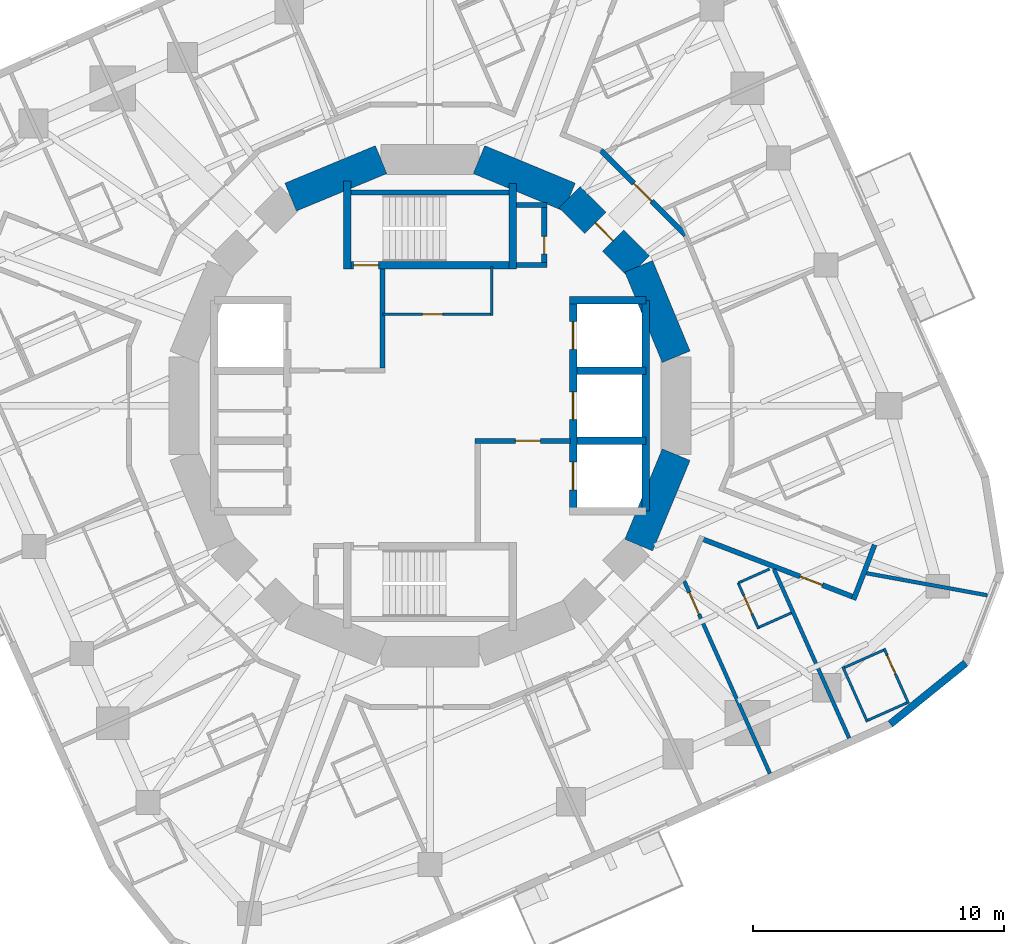
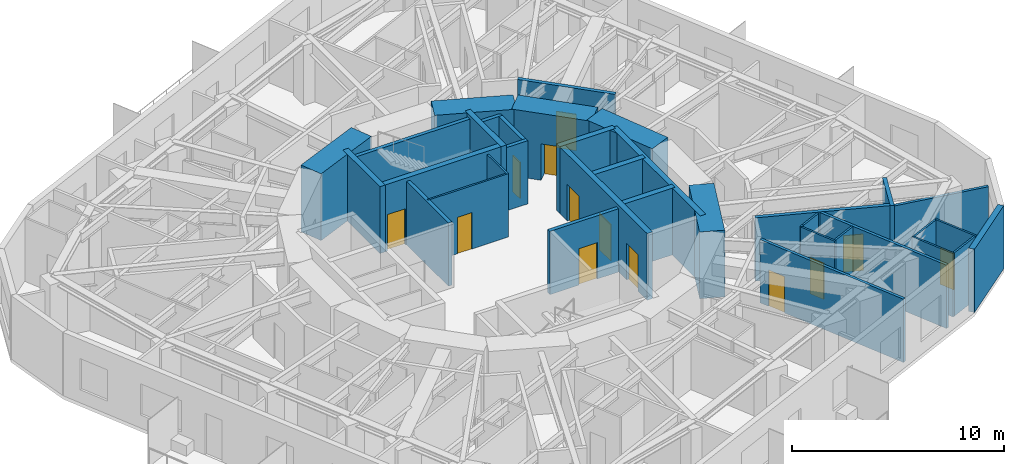
# One storey, part 7 of 12: 36 walls, 13 doors, 13 openings.
"""IFC4 building model written with IfcOpenShell, lengths in metres."""

from ifc_helpers import new_model, si_unit, direction, frame, frame_2d, origin, place, context, subcontext, project, spatial, rectangle, extrude, material, layer, layer_set, type_object, element, fill, save


model = new_model("IFC4")

# Units and contexts
model_context = context("Model", 3, precision=1e-05, world=origin(), true_north=direction((0.0, 1.0)))
body_context = subcontext(model_context, "Body", "Model", "MODEL_VIEW")
ifc_project = project(units=[si_unit("LENGTHUNIT", "METRE"), si_unit("AREAUNIT", "SQUARE_METRE"), si_unit("VOLUMEUNIT", "CUBIC_METRE"), si_unit("PLANEANGLEUNIT", "RADIAN"), si_unit("MASSUNIT", "GRAM", prefix="KILO")], contexts=[model_context])

# Site, building, storey
site_placement = place(None, origin())
site = spatial("IfcSite", under=ifc_project, at=site_placement, CompositionType="ELEMENT")
building_placement = place(site_placement, origin())
building = spatial("IfcBuilding", under=site, at=building_placement, Name="Nakasero Lantern House", CompositionType="ELEMENT")
storey_placement = place(building_placement, frame((0.0, 0.0, 213.25)))
storey = spatial("IfcBuildingStorey", under=building, at=storey_placement, Name="L52", CompositionType="ELEMENT", Elevation=213.25)

# Wall, openings, doors
ifc_material_1 = material(Name="Concrete C50/60", Category="concrete")
ifc_layer_1 = layer(ifc_material_1, 0.300048828125)
ifc_layer_set_1 = layer_set([ifc_layer_1], Name="Core inner wall 300")
wall_type_1 = type_object("IfcWallType", Name="Core inner wall 300", PredefinedType="SHEAR", material=ifc_layer_set_1)
wall_1_placement = place(storey_placement, frame((5.699951171875, -4.199951171875, 0.0), z_axis=(0.0, 0.0, 1.0), x_axis=(0.0, 1.0, 0.0)))
wall_1 = element("IfcWall", 1, at=wall_1_placement, inside=storey, type_object=wall_type_1, Name="Core inner wall L52 LE", PredefinedType="SHEAR", context=body_context, shape_type="SweptSolid", body=[
    extrude(rectangle(XDim=8.39990234375, YDim=0.300048828125, at=frame_2d((4.199951171875, 0.0))), origin(), (0.0, 0.0, 1.0), 3.85009765625),
])
opening_1_placement = place(wall_1_placement, frame((0.85009765625, 0.0, 0.0)))
opening_1 = element("IfcOpeningElement", 2, at=opening_1_placement, cuts=wall_1, Name="Opening LD", PredefinedType="OPENING", context=body_context, shape_type="SweptSolid", body=[
    extrude(rectangle(XDim=1.10009765625, YDim=2.10009765625, at=frame_2d((0.550048828125, 1.050048828125))), frame((0.0, 0.169921875, 0.0), z_axis=(0.0, -1.0, 0.0), x_axis=(1.0, 0.0, 0.0)), (0.0, 0.0, 1.0), 0.340087890625),
])
opening_2_placement = place(wall_1_placement, frame((3.64990234375, 0.0, 0.0)))
opening_2 = element("IfcOpeningElement", 3, at=opening_2_placement, cuts=wall_1, Name="Opening LD", PredefinedType="OPENING", context=body_context, shape_type="SweptSolid", body=[
    extrude(rectangle(XDim=1.10009765625, YDim=2.10009765625, at=frame_2d((0.550048828125, 1.050048828125))), frame((0.0, 0.169921875, 0.0), z_axis=(0.0, -1.0, 0.0), x_axis=(1.0, 0.0, 0.0)), (0.0, 0.0, 1.0), 0.340087890625),
])
opening_3_placement = place(wall_1_placement, frame((6.449951171875, 0.0, 0.0)))
opening_3 = element("IfcOpeningElement", 4, at=opening_3_placement, cuts=wall_1, Name="Opening LD", PredefinedType="OPENING", context=body_context, shape_type="SweptSolid", body=[
    extrude(rectangle(XDim=1.10009765625, YDim=2.10009765625, at=frame_2d((0.550048828125, 1.050048828125))), frame((0.0, 0.169921875, 0.0), z_axis=(0.0, -1.0, 0.0), x_axis=(1.0, 0.0, 0.0)), (0.0, 0.0, 1.0), 0.340087890625),
])
ifc_material_2 = material(Name="Steel S355", Category="steel")
door_type_1 = type_object("IfcDoorType", Name="Lift landing door E120 1100", OperationType="SLIDING_TO_LEFT", PredefinedType="DOOR", material=ifc_material_2)
door_1_placement = place(opening_1_placement, origin())
door_1 = element("IfcDoor", 5, at=door_1_placement, inside=storey, type_object=door_type_1, Name="Lift landing door LE1", OperationType="SLIDING_TO_LEFT", OverallHeight=2.10009765625, OverallWidth=1.10009765625, PredefinedType="DOOR", context=body_context, shape_type="SweptSolid", body=[
    extrude(rectangle(XDim=1.10009765625, YDim=2.10009765625, at=frame_2d((0.550048828125, 1.050048828125))), frame((0.0, 0.02490234375, 0.0), z_axis=(0.0, -1.0, 0.0), x_axis=(1.0, 0.0, 0.0)), (0.0, 0.0, 1.0), 0.050048828125),
])
fill(opening_1, door_1)
door_2_placement = place(opening_2_placement, origin())
door_2 = element("IfcDoor", 6, at=door_2_placement, inside=storey, type_object=door_type_1, Name="Lift landing door LE2", OperationType="SLIDING_TO_LEFT", OverallHeight=2.10009765625, OverallWidth=1.10009765625, PredefinedType="DOOR", context=body_context, shape_type="SweptSolid", body=[
    extrude(rectangle(XDim=1.10009765625, YDim=2.10009765625, at=frame_2d((0.550048828125, 1.050048828125))), frame((0.0, 0.02490234375, 0.0), z_axis=(0.0, -1.0, 0.0), x_axis=(1.0, 0.0, 0.0)), (0.0, 0.0, 1.0), 0.050048828125),
])
fill(opening_2, door_2)
door_3_placement = place(opening_3_placement, origin())
door_3 = element("IfcDoor", 7, at=door_3_placement, inside=storey, type_object=door_type_1, Name="Lift landing door LE3", OperationType="SLIDING_TO_LEFT", OverallHeight=2.10009765625, OverallWidth=1.10009765625, PredefinedType="DOOR", context=body_context, shape_type="SweptSolid", body=[
    extrude(rectangle(XDim=1.10009765625, YDim=2.10009765625, at=frame_2d((0.550048828125, 1.050048828125))), frame((0.0, 0.02490234375, 0.0), z_axis=(0.0, -1.0, 0.0), x_axis=(1.0, 0.0, 0.0)), (0.0, 0.0, 1.0), 0.050048828125),
])
fill(opening_3, door_3)

# Walls
wall_2_placement = place(storey_placement, frame((5.550048828125, 4.199951171875, 0.0), z_axis=(0.0, 0.0, 1.0), x_axis=(1.0, 0.0, 0.0)))
element("IfcWall", 8, at=wall_2_placement, inside=storey, type_object=wall_type_1, Name="Core inner wall L52 LEN", PredefinedType="SHEAR", context=body_context, shape_type="SweptSolid", body=[
    extrude(rectangle(XDim=3.050048828125, YDim=0.300048828125, at=frame_2d((1.52490234375, 0.0))), origin(), (0.0, 0.0, 1.0), 3.85009765625),
])
wall_3_placement = place(storey_placement, frame((8.60009765625, -4.199951171875, 0.0), z_axis=(0.0, 0.0, 1.0), x_axis=(0.0, 1.0, 0.0)))
element("IfcWall", 9, at=wall_3_placement, inside=storey, type_object=wall_type_1, Name="Core inner wall L52 LEB", PredefinedType="SHEAR", context=body_context, shape_type="SweptSolid", body=[
    extrude(rectangle(XDim=8.39990234375, YDim=0.300048828125, at=frame_2d((4.199951171875, 0.0))), origin(), (0.0, 0.0, 1.0), 3.85009765625),
])
for number, where, z_axis, x_axis, name in (
    (10, (5.85009765625, -1.39990234375, 0.0), (0.0, 0.0, 1.0), (1.0, 0.0, 0.0), "Core inner wall L52 LE1"),
    (11, (5.85009765625, 1.39990234375, 0.0), (0.0, 0.0, 1.0), (1.0, 0.0, 0.0), "Core inner wall L52 LE2"),
):
    element("IfcWall", number, at=place(storey_placement, frame(where, z_axis=z_axis, x_axis=x_axis)), inside=storey, type_object=wall_type_1, Name=name, PredefinedType="SHEAR", context=body_context, shape_type="SweptSolid", body=[
        extrude(rectangle(XDim=2.75, YDim=0.300048828125, at=frame_2d((1.375, 0.0))), origin(), (0.0, 0.0, 1.0), 3.85009765625),
    ])

# Wall, opening, door
wall_4_placement = place(storey_placement, frame((-3.449951171875, 5.60009765625, 0.0), z_axis=(0.0, 0.0, 1.0), x_axis=(1.0, 0.0, 0.0)))
wall_4 = element("IfcWall", 12, at=wall_4_placement, inside=storey, type_object=wall_type_1, Name="Core inner wall L52 SN", PredefinedType="SHEAR", context=body_context, shape_type="SweptSolid", body=[
    extrude(rectangle(XDim=6.89990234375, YDim=0.300048828125, at=frame_2d((3.449951171875, 0.0))), origin(), (0.0, 0.0, 1.0), 3.85009765625),
])
opening_4_placement = place(wall_4_placement, frame((0.39990234375, 0.0, 0.0)))
opening_4 = element("IfcOpeningElement", 13, at=opening_4_placement, cuts=wall_4, Name="Opening D05", PredefinedType="OPENING", context=body_context, shape_type="SweptSolid", body=[
    extrude(rectangle(XDim=1.0, YDim=2.10009765625, at=frame_2d((0.5, 1.050048828125))), frame((0.0, 0.169921875, 0.0), z_axis=(0.0, -1.0, 0.0), x_axis=(1.0, 0.0, 0.0)), (0.0, 0.0, 1.0), 0.340087890625),
])
ifc_material_3 = material(Name="Timber C24", Category="wood")
door_type_2 = type_object("IfcDoorType", Name="Core door FD60S 1000", OperationType="SINGLE_SWING_LEFT", PredefinedType="DOOR", material=ifc_material_3)
door_4_placement = place(opening_4_placement, origin())
door_4 = element("IfcDoor", 14, at=door_4_placement, inside=storey, type_object=door_type_2, Name="Door L52 D-ST1", OperationType="SINGLE_SWING_LEFT", OverallHeight=2.10009765625, OverallWidth=1.0, PredefinedType="DOOR", context=body_context, shape_type="SweptSolid", body=[
    extrude(rectangle(XDim=1.0, YDim=2.10009765625, at=frame_2d((0.5, 1.050048828125))), frame((0.0, 0.02490234375, 0.0), z_axis=(0.0, -1.0, 0.0), x_axis=(1.0, 0.0, 0.0)), (0.0, 0.0, 1.0), 0.050048828125),
])
fill(opening_4, door_4)

# Walls
wall_5_placement = place(storey_placement, frame((-3.300048828125, 5.449951171875, 0.0), z_axis=(0.0, 0.0, 1.0), x_axis=(0.0, 1.0, 0.0)))
element("IfcWall", 15, at=wall_5_placement, inside=storey, type_object=wall_type_1, Name="Core inner wall L52 SNW", PredefinedType="SHEAR", context=body_context, shape_type="SweptSolid", body=[
    extrude(rectangle(XDim=3.5, YDim=0.300048828125, at=frame_2d((1.75, 0.0))), origin(), (0.0, 0.0, 1.0), 3.85009765625),
])
wall_6_placement = place(storey_placement, frame((3.300048828125, 5.449951171875, 0.0), z_axis=(0.0, 0.0, 1.0), x_axis=(0.0, 1.0, 0.0)))
element("IfcWall", 16, at=wall_6_placement, inside=storey, type_object=wall_type_1, Name="Core inner wall L52 SNE", PredefinedType="SHEAR", context=body_context, shape_type="SweptSolid", body=[
    extrude(rectangle(XDim=3.400146484375, YDim=0.300048828125, at=frame_2d((1.7001953125, 0.0))), origin(), (0.0, 0.0, 1.0), 3.85009765625),
])

# Wall, opening, door
ifc_material_4 = material(Name="Blockwork", Category="masonry")
ifc_layer_2 = layer(ifc_material_4, 0.10009765625)
ifc_layer_set_2 = layer_set([ifc_layer_2], Name="Core room wall 100")
wall_type_2 = type_object("IfcWallType", Name="Core room wall 100", PredefinedType="PARTITIONING", material=ifc_layer_set_2)
wall_7_placement = place(storey_placement, frame((-1.89990234375, 3.64990234375, 0.0), z_axis=(0.0, 0.0, 1.0), x_axis=(1.0, 0.0, 0.0)))
wall_7 = element("IfcWall", 17, at=wall_7_placement, inside=storey, type_object=wall_type_2, Name="Core room wall L52 CR-NES", PredefinedType="PARTITIONING", context=body_context, shape_type="SweptSolid", body=[
    extrude(rectangle(XDim=4.39990234375, YDim=0.10009765625, at=frame_2d((2.199951171875, 0.0))), origin(), (0.0, 0.0, 1.0), 3.64990234375),
])
opening_5_placement = place(wall_7_placement, frame((1.60009765625, 0.0, 0.0)))
opening_5 = element("IfcOpeningElement", 18, at=opening_5_placement, cuts=wall_7, Name="Opening D15", PredefinedType="OPENING", context=body_context, shape_type="SweptSolid", body=[
    extrude(rectangle(XDim=0.800048828125, YDim=2.10009765625, at=frame_2d((0.39990234375, 1.050048828125))), frame((0.0, 0.070068359375, 0.0), z_axis=(0.0, -1.0, 0.0), x_axis=(1.0, 0.0, 0.0)), (0.0, 0.0, 1.0), 0.14013671875),
])
ifc_material_5 = material(Name="Timber C24", Category="wood")
door_type_3 = type_object("IfcDoorType", Name="Cleaner's store door FD30S 800", OperationType="SINGLE_SWING_LEFT", PredefinedType="DOOR", material=ifc_material_5)
door_5_placement = place(opening_5_placement, origin())
door_5 = element("IfcDoor", 19, at=door_5_placement, inside=storey, type_object=door_type_3, Name="Door L52 D-CR-NE", OperationType="SINGLE_SWING_LEFT", OverallHeight=2.10009765625, OverallWidth=0.800048828125, PredefinedType="DOOR", context=body_context, shape_type="SweptSolid", body=[
    extrude(rectangle(XDim=0.800048828125, YDim=2.10009765625, at=frame_2d((0.39990234375, 1.050048828125))), frame((0.0, 0.02490234375, 0.0), z_axis=(0.0, -1.0, 0.0), x_axis=(1.0, 0.0, 0.0)), (0.0, 0.0, 1.0), 0.050048828125),
])
fill(opening_5, door_5)

# Walls
wall_8_placement = place(storey_placement, frame((2.449951171875, 3.60009765625, 0.0), z_axis=(0.0, 0.0, 1.0), x_axis=(0.0, 1.0, 0.0)))
element("IfcWall", 20, at=wall_8_placement, inside=storey, type_object=wall_type_2, Name="Core room wall L52 CR-NEE", PredefinedType="PARTITIONING", context=body_context, shape_type="SweptSolid", body=[
    extrude(rectangle(XDim=1.949951171875, YDim=0.10009765625, at=frame_2d((0.97509765625, 0.0))), origin(), (0.0, 0.0, 1.0), 3.64990234375),
])
ifc_material_6 = material(Name="Concrete C50/60", Category="concrete")
ifc_layer_3 = layer(ifc_material_6, 1.199951171875)
ifc_layer_set_3 = layer_set([ifc_layer_3], Name="Core wall 1200")
wall_type_3 = type_object("IfcWallType", Name="Core wall 1200", PredefinedType="SHEAR", material=ifc_layer_set_3)
wall_9_placement = place(storey_placement, frame((9.807861328125, 1.950927734375, 0.0), z_axis=(0.0, 0.0, 1.0), x_axis=(-0.382690736062, 0.923876507187, 0.0)))
element("IfcWall", 21, at=wall_9_placement, inside=storey, type_object=wall_type_3, Name="Core wall L52 facet 1", PredefinedType="SHEAR", context=body_context, shape_type="SweptSolid", body=[
    extrude(rectangle(XDim=3.90185546875, YDim=1.199951171875, at=frame_2d((1.950927734375, 0.0))), origin(), (0.0, 0.0, 1.0), 3.85009765625),
])

# Wall, opening, door
wall_10_placement = place(storey_placement, frame((8.314697265625, 5.5556640625, 0.0), z_axis=(0.0, 0.0, 1.0), x_axis=(-0.707106781187, 0.707106781187, 0.0)))
wall_10 = element("IfcWall", 22, at=wall_10_placement, inside=storey, type_object=wall_type_3, Name="Core wall L52 facet 2", PredefinedType="SHEAR", context=body_context, shape_type="SweptSolid", body=[
    extrude(rectangle(XDim=3.90185546875, YDim=1.199951171875, at=frame_2d((1.950927734375, 0.0))), origin(), (0.0, 0.0, 1.0), 3.85009765625),
])
opening_6_placement = place(wall_10_placement, frame((1.450927734375, 0.0, 0.0)))
opening_6 = element("IfcOpeningElement", 23, at=opening_6_placement, cuts=wall_10, Name="Opening D05", PredefinedType="OPENING", context=body_context, shape_type="SweptSolid", body=[
    extrude(rectangle(XDim=1.0, YDim=2.10009765625, at=frame_2d((0.5, 1.050048828125))), frame((0.0, 0.619873046875, 0.0), z_axis=(0.0, -1.0, 0.0), x_axis=(1.0, 0.0, 0.0)), (0.0, 0.0, 1.0), 1.239990234375),
])
door_6_placement = place(opening_6_placement, origin())
door_6 = element("IfcDoor", 24, at=door_6_placement, inside=storey, type_object=door_type_2, Name="Door L52 D-CORE02", OperationType="SINGLE_SWING_LEFT", OverallHeight=2.10009765625, OverallWidth=1.0, PredefinedType="DOOR", context=body_context, shape_type="SweptSolid", body=[
    extrude(rectangle(XDim=1.0, YDim=2.10009765625, at=frame_2d((0.5, 1.050048828125))), frame((0.0, 0.02490234375, 0.0), z_axis=(0.0, -1.0, 0.0), x_axis=(1.0, 0.0, 0.0)), (0.0, 0.0, 1.0), 0.050048828125),
])
fill(opening_6, door_6)

# Walls
for number, where, z_axis, x_axis, name in (
    (25, (5.5556640625, 8.314697265625, 0.0), (0.0, 0.0, 1.0), (-0.923876507187, 0.382690736062, 0.0), "Core wall L52 facet 3"),
    (26, (-1.950927734375, 9.807861328125, 0.0), (0.0, 0.0, 1.0), (-0.923876507187, -0.382690736062, 0.0), "Core wall L52 facet 5"),
    (27, (8.314697265625, -5.5556640625, 0.0), (0.0, 0.0, 1.0), (0.382690736062, 0.923876507187, 0.0), "Core wall L52 facet 15"),
):
    element("IfcWall", number, at=place(storey_placement, frame(where, z_axis=z_axis, x_axis=x_axis)), inside=storey, type_object=wall_type_3, Name=name, PredefinedType="SHEAR", context=body_context, shape_type="SweptSolid", body=[
        extrude(rectangle(XDim=3.90185546875, YDim=1.199951171875, at=frame_2d((1.950927734375, 0.0))), origin(), (0.0, 0.0, 1.0), 3.85009765625),
    ])

# Wall, opening, door
ifc_material_7 = material(Name="Blockwork", Category="masonry")
ifc_layer_4 = layer(ifc_material_7, 0.199951171875)
ifc_layer_set_4 = layer_set([ifc_layer_4], Name="Corridor wall 200")
wall_type_4 = type_object("IfcWallType", Name="Corridor wall 200", PredefinedType="PARTITIONING", material=ifc_layer_set_4)
wall_11_placement = place(storey_placement, frame((6.802001953125, 10.1796875, 0.0), z_axis=(0.0, 0.0, 1.0), x_axis=(0.707106781187, -0.707106781187, 0.0)))
wall_11 = element("IfcWall", 28, at=wall_11_placement, inside=storey, type_object=wall_type_4, Name="Corridor wall L52 RC14a", PredefinedType="PARTITIONING", context=body_context, shape_type="SweptSolid", body=[
    extrude(rectangle(XDim=4.77685546875, YDim=0.199951171875, at=frame_2d((2.388427734375, 0.0))), origin(), (0.0, 0.0, 1.0), 3.64990234375),
])
opening_7_placement = place(wall_11_placement, frame((1.8701171875, 0.0, 0.0)))
opening_7 = element("IfcOpeningElement", 29, at=opening_7_placement, cuts=wall_11, Name="Opening D14", PredefinedType="OPENING", context=body_context, shape_type="SweptSolid", body=[
    extrude(rectangle(XDim=1.0, YDim=2.10009765625, at=frame_2d((0.5, 1.050048828125))), frame((0.0, 0.119873046875, 0.0), z_axis=(0.0, -1.0, 0.0), x_axis=(1.0, 0.0, 0.0)), (0.0, 0.0, 1.0), 0.239990234375),
])
ifc_material_8 = material(Name="Timber C24", Category="wood")
door_type_4 = type_object("IfcDoorType", Name="Cluster entrance door FD30S 1000", OperationType="SINGLE_SWING_LEFT", PredefinedType="DOOR", material=ifc_material_8)
door_7_placement = place(opening_7_placement, origin())
door_7 = element("IfcDoor", 30, at=door_7_placement, inside=storey, type_object=door_type_4, Name="Door L52 D0-04", OperationType="SINGLE_SWING_LEFT", OverallHeight=2.10009765625, OverallWidth=1.0, PredefinedType="DOOR", context=body_context, shape_type="SweptSolid", body=[
    extrude(rectangle(XDim=1.0, YDim=2.10009765625, at=frame_2d((0.5, 1.050048828125))), frame((0.0, 0.02490234375, 0.0), z_axis=(0.0, -1.0, 0.0), x_axis=(1.0, 0.0, 0.0)), (0.0, 0.0, 1.0), 0.050048828125),
])
fill(opening_7, door_7)

wall_12_placement = place(storey_placement, frame((10.804443359375, -5.293701171875, 0.0), z_axis=(0.0, 0.0, 1.0), x_axis=(0.933585954752, -0.358353547616, 0.0)))
wall_12 = element("IfcWall", 31, at=wall_12_placement, inside=storey, type_object=wall_type_4, Name="Corridor wall L52 SP3a", PredefinedType="PARTITIONING", context=body_context, shape_type="SweptSolid", body=[
    extrude(rectangle(XDim=6.643798828125, YDim=0.199951171875, at=frame_2d((3.32177734375, 0.0))), origin(), (0.0, 0.0, 1.0), 3.64990234375),
])
opening_8_placement = place(wall_12_placement, frame((4.219970703125, 0.0, 0.0)))
opening_8 = element("IfcOpeningElement", 32, at=opening_8_placement, cuts=wall_12, Name="Opening D01", PredefinedType="OPENING", context=body_context, shape_type="SweptSolid", body=[
    extrude(rectangle(XDim=0.949951171875, YDim=2.10009765625, at=frame_2d((0.47509765625, 1.050048828125))), frame((0.0, 0.119873046875, 0.0), z_axis=(0.0, -1.0, 0.0), x_axis=(1.0, 0.0, 0.0)), (0.0, 0.0, 1.0), 0.239990234375),
])
ifc_material_9 = material(Name="Timber C24", Category="wood")
door_type_5 = type_object("IfcDoorType", Name="Bedroom door FD30S 950", OperationType="SINGLE_SWING_LEFT", PredefinedType="DOOR", material=ifc_material_9)
door_8_placement = place(opening_8_placement, origin())
door_8 = element("IfcDoor", 33, at=door_8_placement, inside=storey, type_object=door_type_5, Name="Door L52 D3-06", OperationType="SINGLE_SWING_RIGHT", OverallHeight=2.10009765625, OverallWidth=0.949951171875, PredefinedType="DOOR", context=body_context, shape_type="SweptSolid", body=[
    extrude(rectangle(XDim=0.949951171875, YDim=2.10009765625, at=frame_2d((0.47509765625, 1.050048828125))), frame((0.0, 0.02490234375, 0.0), z_axis=(0.0, -1.0, 0.0), x_axis=(1.0, 0.0, 0.0)), (0.0, 0.0, 1.0), 0.050048828125),
])
fill(opening_8, door_8)

# Wall
wall_13_placement = place(storey_placement, frame((16.8779296875, -7.73193359375, 0.0), z_axis=(0.0, 0.0, 1.0), x_axis=(0.35838473722, 0.933573982139, 0.0)))
element("IfcWall", 34, at=wall_13_placement, inside=storey, type_object=wall_type_4, Name="Corridor wall L52 SP3e", PredefinedType="PARTITIONING", context=body_context, shape_type="SweptSolid", body=[
    extrude(rectangle(XDim=2.340087890625, YDim=0.199951171875, at=frame_2d((1.169921875, 0.0))), origin(), (0.0, 0.0, 1.0), 3.64990234375),
])

# Wall, opening, door
ifc_material_10 = material(Name="Blockwork", Category="masonry")
ifc_layer_5 = layer(ifc_material_10, 0.10009765625)
ifc_layer_set_5 = layer_set([ifc_layer_5], Name="En-suite wall 100")
wall_type_5 = type_object("IfcWallType", Name="En-suite wall 100", PredefinedType="PARTITIONING", material=ifc_layer_set_5)
wall_14_placement = place(storey_placement, frame((12.280029296875, -7.0654296875, 0.0), z_axis=(0.0, 0.0, 1.0), x_axis=(0.406772684097, -0.913529410294, 0.0)))
wall_14 = element("IfcWall", 35, at=wall_14_placement, inside=storey, type_object=wall_type_5, Name="En-suite wall L52 ES3-05", PredefinedType="PARTITIONING", context=body_context, shape_type="SweptSolid", body=[
    extrude(rectangle(XDim=1.999755859375, YDim=0.10009765625, at=frame_2d((1.0, 0.0))), origin(), (0.0, 0.0, 1.0), 3.64990234375),
])
opening_9_placement = place(wall_14_placement, frame((0.550048828125, 0.0, 0.0)))
opening_9 = element("IfcOpeningElement", 36, at=opening_9_placement, cuts=wall_14, Name="Opening D02", PredefinedType="OPENING", context=body_context, shape_type="SweptSolid", body=[
    extrude(rectangle(XDim=0.800048828125, YDim=2.10009765625, at=frame_2d((0.39990234375, 1.050048828125))), frame((0.0, 0.070068359375, 0.0), z_axis=(0.0, -1.0, 0.0), x_axis=(1.0, 0.0, 0.0)), (0.0, 0.0, 1.0), 0.14013671875),
])
ifc_material_11 = material(Name="Timber C24", Category="wood")
door_type_6 = type_object("IfcDoorType", Name="En-suite door 800", OperationType="SINGLE_SWING_RIGHT", PredefinedType="DOOR", material=ifc_material_11)
door_9_placement = place(opening_9_placement, origin())
door_9 = element("IfcDoor", 37, at=door_9_placement, inside=storey, type_object=door_type_6, Name="Door L52 DE3-05", OperationType="SINGLE_SWING_LEFT", OverallHeight=2.10009765625, OverallWidth=0.800048828125, PredefinedType="DOOR", context=body_context, shape_type="SweptSolid", body=[
    extrude(rectangle(XDim=0.800048828125, YDim=2.10009765625, at=frame_2d((0.39990234375, 1.050048828125))), frame((0.0, 0.02490234375, 0.0), z_axis=(0.0, -1.0, 0.0), x_axis=(1.0, 0.0, 0.0)), (0.0, 0.0, 1.0), 0.050048828125),
])
fill(opening_9, door_9)

# Wall
wall_15_placement = place(storey_placement, frame((13.118896484375, -8.826416015625, 0.0), z_axis=(0.0, 0.0, 1.0), x_axis=(0.91358129113, 0.406656150203, 0.0)))
element("IfcWall", 38, at=wall_15_placement, inside=storey, type_object=wall_type_5, Name="En-suite wall L52 EE3-05", PredefinedType="PARTITIONING", context=body_context, shape_type="SweptSolid", body=[
    extrude(rectangle(XDim=1.400146484375, YDim=0.10009765625, at=frame_2d((0.7001953125, 0.0))), origin(), (0.0, 0.0, 1.0), 3.64990234375),
])

# Wall, opening, door
wall_16_placement = place(storey_placement, frame((18.0947265625, -9.676025390625, 0.0), z_axis=(0.0, 0.0, 1.0), x_axis=(0.406685806039, -0.913568090055, 0.0)))
wall_16 = element("IfcWall", 39, at=wall_16_placement, inside=storey, type_object=wall_type_5, Name="En-suite wall L52 ES3-06", PredefinedType="PARTITIONING", context=body_context, shape_type="SweptSolid", body=[
    extrude(rectangle(XDim=2.400146484375, YDim=0.10009765625, at=frame_2d((1.2001953125, 0.0))), origin(), (0.0, 0.0, 1.0), 3.64990234375),
])
opening_10_placement = place(wall_16_placement, frame((0.300048828125, 0.0, 0.0)))
opening_10 = element("IfcOpeningElement", 40, at=opening_10_placement, cuts=wall_16, Name="Opening D02", PredefinedType="OPENING", context=body_context, shape_type="SweptSolid", body=[
    extrude(rectangle(XDim=0.800048828125, YDim=2.10009765625, at=frame_2d((0.39990234375, 1.050048828125))), frame((0.0, 0.070068359375, 0.0), z_axis=(0.0, -1.0, 0.0), x_axis=(1.0, 0.0, 0.0)), (0.0, 0.0, 1.0), 0.14013671875),
])
door_10_placement = place(opening_10_placement, origin())
door_10 = element("IfcDoor", 41, at=door_10_placement, inside=storey, type_object=door_type_6, Name="Door L52 DE3-06", OperationType="SINGLE_SWING_LEFT", OverallHeight=2.10009765625, OverallWidth=0.800048828125, PredefinedType="DOOR", context=body_context, shape_type="SweptSolid", body=[
    extrude(rectangle(XDim=0.800048828125, YDim=2.10009765625, at=frame_2d((0.39990234375, 1.050048828125))), frame((0.0, 0.02490234375, 0.0), z_axis=(0.0, -1.0, 0.0), x_axis=(1.0, 0.0, 0.0)), (0.0, 0.0, 1.0), 0.050048828125),
])
fill(opening_10, door_10)

# Walls
wall_17_placement = place(storey_placement, frame((16.4501953125, -10.408203125, 0.0), z_axis=(0.0, 0.0, 1.0), x_axis=(0.406808500233, -0.913513461389, 0.0)))
element("IfcWall", 42, at=wall_17_placement, inside=storey, type_object=wall_type_5, Name="En-suite wall L52 EV3-06", PredefinedType="PARTITIONING", context=body_context, shape_type="SweptSolid", body=[
    extrude(rectangle(XDim=2.39990234375, YDim=0.10009765625, at=frame_2d((1.199951171875, 0.0))), origin(), (0.0, 0.0, 1.0), 3.64990234375),
])
wall_18_placement = place(storey_placement, frame((17.45166015625, -12.53466796875, 0.0), z_axis=(0.0, 0.0, 1.0), x_axis=(0.91357452948, 0.406671340378, 0.0)))
element("IfcWall", 43, at=wall_18_placement, inside=storey, type_object=wall_type_5, Name="En-suite wall L52 EE3-06", PredefinedType="PARTITIONING", context=body_context, shape_type="SweptSolid", body=[
    extrude(rectangle(XDim=1.7001953125, YDim=0.10009765625, at=frame_2d((0.85009765625, 0.0))), origin(), (0.0, 0.0, 1.0), 3.64990234375),
])
wall_19_placement = place(storey_placement, frame((16.516357421875, -10.43359375, 0.0), z_axis=(0.0, 0.0, 1.0), x_axis=(0.913550776237, 0.406724697108, 0.0)))
element("IfcWall", 44, at=wall_19_placement, inside=storey, type_object=wall_type_5, Name="En-suite wall L52 EI3-06", PredefinedType="PARTITIONING", context=body_context, shape_type="SweptSolid", body=[
    extrude(rectangle(XDim=1.699951171875, YDim=0.10009765625, at=frame_2d((0.85009765625, 0.0))), origin(), (0.0, 0.0, 1.0), 3.64990234375),
])
wall_20_placement = place(storey_placement, frame((13.527099609375, -6.510009765625, 0.0), z_axis=(0.0, 0.0, 1.0), x_axis=(-0.913510535277, -0.406815070933, 0.0)))
element("IfcWall", 45, at=wall_20_placement, inside=storey, type_object=wall_type_5, Name="En-suite wall L52 EX003", PredefinedType="PARTITIONING", context=body_context, shape_type="SweptSolid", body=[
    extrude(rectangle(XDim=1.205078125, YDim=0.10009765625, at=frame_2d((0.6025390625, 0.0))), origin(), (0.0, 0.0, 1.0), 3.64990234375),
])
wall_21_placement = place(storey_placement, frame((12.280029296875, -7.0654296875, 0.0), z_axis=(0.0, 0.0, 1.0), x_axis=(0.913370855971, 0.407128578538, 0.0)))
element("IfcWall", 46, at=wall_21_placement, inside=storey, type_object=wall_type_5, Name="En-suite wall L52 ES3-05R0", PredefinedType="PARTITIONING", context=body_context, shape_type="SweptSolid", body=[
    extrude(rectangle(XDim=0.16015625, YDim=0.10009765625, at=frame_2d((0.080078125, 0.0))), origin(), (0.0, 0.0, 1.0), 3.64990234375),
])
ifc_material_12 = material(Name="Aluminium rainscreen on blockwork", Category="masonry")
ifc_layer_6 = layer(ifc_material_12, 0.300048828125)
ifc_layer_set_6 = layer_set([ifc_layer_6], Name="Facade wall 300")
wall_type_6 = type_object("IfcWallType", Name="Facade wall 300", PredefinedType="SOLIDWALL", material=ifc_layer_set_6)
wall_22_placement = place(storey_placement, frame((18.345458984375, -12.684814453125, 0.0), z_axis=(0.0, 0.0, 1.0), x_axis=(0.777174099125, 0.629285642335, 0.0)))
element("IfcWall", 47, at=wall_22_placement, inside=storey, type_object=wall_type_6, Name="Facade wall L52 FW3C1", PredefinedType="SOLIDWALL", context=body_context, shape_type="SweptSolid", body=[
    extrude(rectangle(XDim=3.8564453125, YDim=0.300048828125, at=frame_2d((1.92822265625, 0.0))), origin(), (0.0, 0.0, 1.0), 3.64990234375),
])
ifc_material_13 = material(Name="Blockwork", Category="masonry")
ifc_layer_7 = layer(ifc_material_13, 0.199951171875)
ifc_layer_set_7 = layer_set([ifc_layer_7], Name="Fire lobby wall 200")
wall_type_7 = type_object("IfcWallType", Name="Fire lobby wall 200", PredefinedType="PARTITIONING", material=ifc_layer_set_7)
wall_23_placement = place(storey_placement, frame((-1.89990234375, 1.5, 0.0), z_axis=(0.0, 0.0, 1.0), x_axis=(0.0, 1.0, 0.0)))
element("IfcWall", 48, at=wall_23_placement, inside=storey, type_object=wall_type_7, Name="Fire lobby wall L52 W-FL1E", PredefinedType="PARTITIONING", context=body_context, shape_type="SweptSolid", body=[
    extrude(rectangle(XDim=3.949951171875, YDim=0.199951171875, at=frame_2d((1.97509765625, 0.0))), origin(), (0.0, 0.0, 1.0), 3.64990234375),
])

# Wall, opening, door
wall_24_placement = place(storey_placement, frame((5.60009765625, -1.39990234375, 0.0), z_axis=(0.0, 0.0, 1.0), x_axis=(-1.0, 0.0, 0.0)))
wall_24 = element("IfcWall", 49, at=wall_24_placement, inside=storey, type_object=wall_type_7, Name="Fire lobby wall L52 W-FL2N", PredefinedType="PARTITIONING", context=body_context, shape_type="SweptSolid", body=[
    extrude(rectangle(XDim=3.800048828125, YDim=0.199951171875, at=frame_2d((1.89990234375, 0.0))), origin(), (0.0, 0.0, 1.0), 3.64990234375),
])
opening_11_placement = place(wall_24_placement, frame((1.199951171875, 0.0, 0.0)))
opening_11 = element("IfcOpeningElement", 50, at=opening_11_placement, cuts=wall_24, Name="Opening D05", PredefinedType="OPENING", context=body_context, shape_type="SweptSolid", body=[
    extrude(rectangle(XDim=1.0, YDim=2.10009765625, at=frame_2d((0.5, 1.050048828125))), frame((0.0, 0.119873046875, 0.0), z_axis=(0.0, -1.0, 0.0), x_axis=(1.0, 0.0, 0.0)), (0.0, 0.0, 1.0), 0.239990234375),
])
door_11_placement = place(opening_11_placement, origin())
door_11 = element("IfcDoor", 51, at=door_11_placement, inside=storey, type_object=door_type_2, Name="Door L52 D-FL2", OperationType="SINGLE_SWING_LEFT", OverallHeight=2.10009765625, OverallWidth=1.0, PredefinedType="DOOR", context=body_context, shape_type="SweptSolid", body=[
    extrude(rectangle(XDim=1.0, YDim=2.10009765625, at=frame_2d((0.5, 1.050048828125))), frame((0.0, 0.02490234375, 0.0), z_axis=(0.0, -1.0, 0.0), x_axis=(1.0, 0.0, 0.0)), (0.0, 0.0, 1.0), 0.050048828125),
])
fill(opening_11, door_11)

wall_25_placement = place(storey_placement, frame((4.550048828125, 5.60009765625, 0.0), z_axis=(0.0, 0.0, 1.0), x_axis=(0.0, 1.0, 0.0)))
wall_25 = element("IfcWall", 52, at=wall_25_placement, inside=storey, type_object=wall_type_7, Name="Fire lobby wall L52 W-RS1E", PredefinedType="PARTITIONING", context=body_context, shape_type="SweptSolid", body=[
    extrude(rectangle(XDim=2.39990234375, YDim=0.199951171875, at=frame_2d((1.199951171875, 0.0))), origin(), (0.0, 0.0, 1.0), 3.64990234375),
])
opening_12_placement = place(wall_25_placement, frame((0.449951171875, 0.0, 0.0)))
opening_12 = element("IfcOpeningElement", 53, at=opening_12_placement, cuts=wall_25, Name="Opening D06", PredefinedType="OPENING", context=body_context, shape_type="SweptSolid", body=[
    extrude(rectangle(XDim=0.699951171875, YDim=2.10009765625, at=frame_2d((0.35009765625, 1.050048828125))), frame((0.0, 0.119873046875, 0.0), z_axis=(0.0, -1.0, 0.0), x_axis=(1.0, 0.0, 0.0)), (0.0, 0.0, 1.0), 0.239990234375),
])
ifc_material_14 = material(Name="Steel S355", Category="steel")
door_type_7 = type_object("IfcDoorType", Name="Riser door FD60 700", OperationType="SINGLE_SWING_LEFT", PredefinedType="DOOR", material=ifc_material_14)
door_12_placement = place(opening_12_placement, origin())
door_12 = element("IfcDoor", 54, at=door_12_placement, inside=storey, type_object=door_type_7, Name="Door L52 D-RS1", OperationType="SINGLE_SWING_LEFT", OverallHeight=2.10009765625, OverallWidth=0.699951171875, PredefinedType="DOOR", context=body_context, shape_type="SweptSolid", body=[
    extrude(rectangle(XDim=0.699951171875, YDim=2.10009765625, at=frame_2d((0.35009765625, 1.050048828125))), frame((0.0, 0.02490234375, 0.0), z_axis=(0.0, -1.0, 0.0), x_axis=(1.0, 0.0, 0.0)), (0.0, 0.0, 1.0), 0.050048828125),
])
fill(opening_12, door_12)

# Walls
for number, where, z_axis, x_axis, name in (
    (55, (3.449951171875, 8.0, 0.0), (0.0, 0.0, 1.0), (1.0, 0.0, 0.0), "Fire lobby wall L52 W-RS1N"),
    (56, (3.449951171875, 5.60009765625, 0.0), (0.0, 0.0, 1.0), (1.0, 0.0, 0.0), "Fire lobby wall L52 W-RS1S"),
):
    element("IfcWall", number, at=place(storey_placement, frame(where, z_axis=z_axis, x_axis=x_axis)), inside=storey, type_object=wall_type_7, Name=name, PredefinedType="PARTITIONING", context=body_context, shape_type="SweptSolid", body=[
        extrude(rectangle(XDim=1.199951171875, YDim=0.199951171875, at=frame_2d((0.60009765625, 0.0))), origin(), (0.0, 0.0, 1.0), 3.64990234375),
    ])
wall_26_placement = place(storey_placement, frame((-3.300048828125, 8.5, 0.0), z_axis=(0.0, 0.0, 1.0), x_axis=(1.0, 0.0, 0.0)))
element("IfcWall", 57, at=wall_26_placement, inside=storey, type_object=wall_type_7, Name="Fire lobby wall L52 W-STN", PredefinedType="PARTITIONING", context=body_context, shape_type="SweptSolid", body=[
    extrude(rectangle(XDim=6.60009765625, YDim=0.199951171875, at=frame_2d((3.300048828125, 0.0))), origin(), (0.0, 0.0, 1.0), 3.64990234375),
])

# Wall, opening, door
ifc_material_15 = material(Name="Blockwork", Category="masonry")
ifc_layer_8 = layer(ifc_material_15, 0.14990234375)
ifc_layer_set_8 = layer_set([ifc_layer_8], Name="Party wall 150")
wall_type_8 = type_object("IfcWallType", Name="Party wall 150", PredefinedType="PARTITIONING", material=ifc_layer_set_8)
wall_27_placement = place(storey_placement, frame((10.130615234375, -6.99267578125, 0.0), z_axis=(0.0, 0.0, 1.0), x_axis=(0.406732255089, -0.913547411288, 0.0)))
wall_27 = element("IfcWall", 58, at=wall_27_placement, inside=storey, type_object=wall_type_8, Name="Party wall L52 PW3-05", PredefinedType="PARTITIONING", context=body_context, shape_type="SweptSolid", body=[
    extrude(rectangle(XDim=8.3916015625, YDim=0.14990234375, at=frame_2d((4.19580078125, 0.0))), origin(), (0.0, 0.0, 1.0), 3.64990234375),
])
opening_13_placement = place(wall_27_placement, frame((0.5, 0.0, 0.0)))
opening_13 = element("IfcOpeningElement", 59, at=opening_13_placement, cuts=wall_27, Name="Opening D01", PredefinedType="OPENING", context=body_context, shape_type="SweptSolid", body=[
    extrude(rectangle(XDim=0.949951171875, YDim=2.10009765625, at=frame_2d((0.47509765625, 1.050048828125))), frame((0.0, 0.094970703125, 0.0), z_axis=(0.0, -1.0, 0.0), x_axis=(1.0, 0.0, 0.0)), (0.0, 0.0, 1.0), 0.18994140625),
])
door_13_placement = place(opening_13_placement, origin())
door_13 = element("IfcDoor", 60, at=door_13_placement, inside=storey, type_object=door_type_5, Name="Door L52 DS3-05", OperationType="SINGLE_SWING_LEFT", OverallHeight=2.10009765625, OverallWidth=0.949951171875, PredefinedType="DOOR", context=body_context, shape_type="SweptSolid", body=[
    extrude(rectangle(XDim=0.949951171875, YDim=2.10009765625, at=frame_2d((0.47509765625, 1.050048828125))), frame((0.0, 0.02490234375, 0.0), z_axis=(0.0, -1.0, 0.0), x_axis=(1.0, 0.0, 0.0)), (0.0, 0.0, 1.0), 0.050048828125),
])
fill(opening_13, door_13)

# Walls
wall_28_placement = place(storey_placement, frame((13.70361328125, -6.513671875, 0.0), z_axis=(0.0, 0.0, 1.0), x_axis=(0.406740331351, -0.913543815508, 0.0)))
element("IfcWall", 61, at=wall_28_placement, inside=storey, type_object=wall_type_8, Name="Party wall L52 PW3-06", PredefinedType="PARTITIONING", context=body_context, shape_type="SweptSolid", body=[
    extrude(rectangle(XDim=7.375732421875, YDim=0.14990234375, at=frame_2d((3.68798828125, 0.0))), origin(), (0.0, 0.0, 1.0), 3.64990234375),
])
wall_29_placement = place(storey_placement, frame((17.390625, -6.675537109375, 0.0), z_axis=(0.0, 0.0, 1.0), x_axis=(0.983745378578, -0.179569012156, 0.0)))
element("IfcWall", 62, at=wall_29_placement, inside=storey, type_object=wall_type_8, Name="Party wall L52 PW0-00", PredefinedType="PARTITIONING", context=body_context, shape_type="SweptSolid", body=[
    extrude(rectangle(XDim=4.902587890625, YDim=0.14990234375, at=frame_2d((2.451171875, 0.0))), origin(), (0.0, 0.0, 1.0), 2.809326171875),
])

save(model, "model.ifc")
